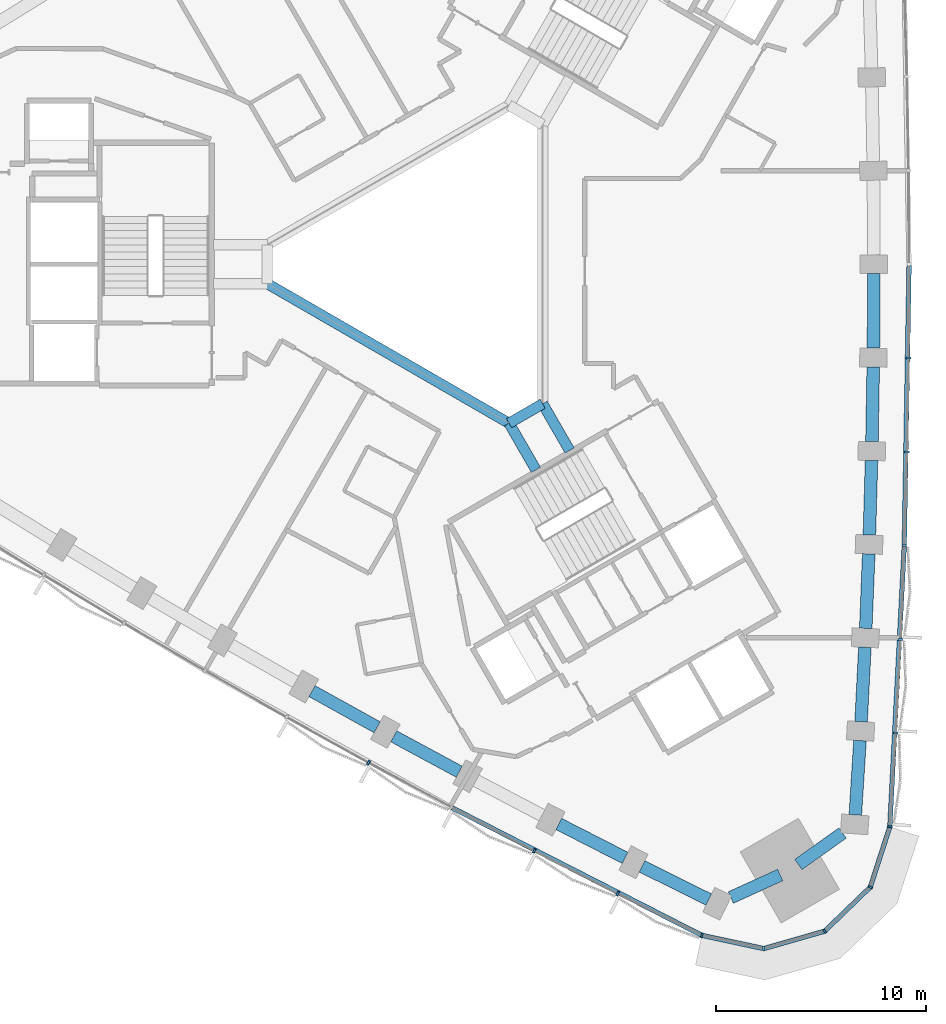
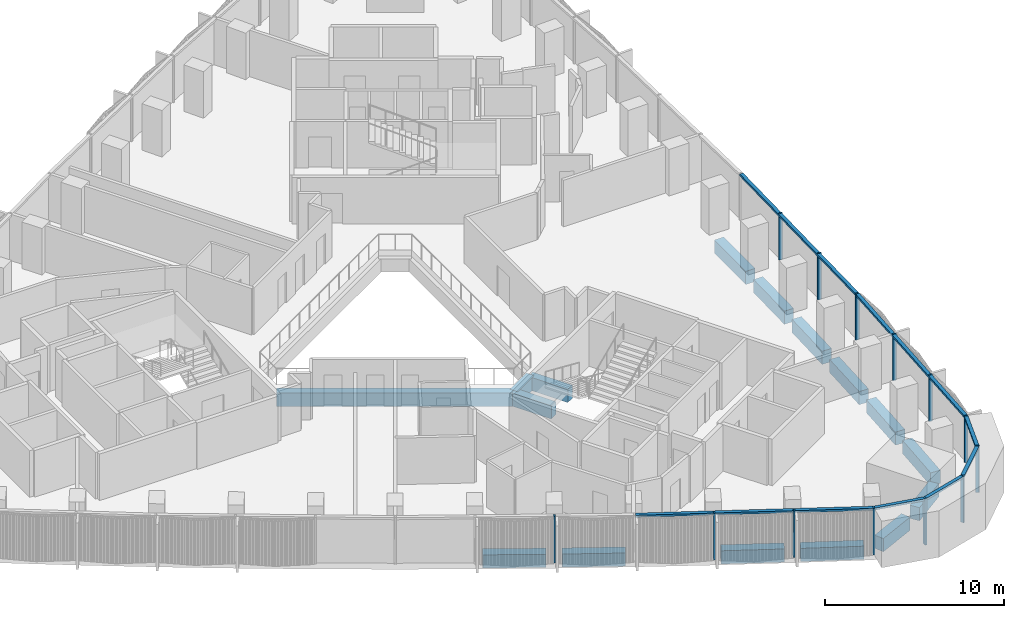
# One storey, part 3 of 15: 20 members, 16 beams, 2 elements without a shape of their own.
"""IFC4 building model written with IfcOpenShell, lengths in metres."""

from ifc_helpers import new_model, si_unit, direction, frame, origin, origin_2d, place, context, subcontext, project, spatial, rectangle, extrude, material, material_profile, profile_set, type_object, element, aggregate, save


model = new_model("IFC4")

# Units and contexts
model_context = context("Model", 3, precision=1e-05, world=origin(), true_north=direction((0.0, 1.0)))
body_context = subcontext(model_context, "Body", "Model", "MODEL_VIEW")
ifc_project = project(units=[si_unit("LENGTHUNIT", "METRE"), si_unit("AREAUNIT", "SQUARE_METRE"), si_unit("VOLUMEUNIT", "CUBIC_METRE"), si_unit("PLANEANGLEUNIT", "RADIAN"), si_unit("MASSUNIT", "GRAM", prefix="KILO")], contexts=[model_context])

# Site, building, storey
site_placement = place(None, origin())
site = spatial("IfcSite", under=ifc_project, at=site_placement, CompositionType="ELEMENT")
building_placement = place(site_placement, origin())
building = spatial("IfcBuilding", under=site, at=building_placement, Name="Tamra Quay Hotel Tower", CompositionType="ELEMENT")
storey_placement = place(building_placement, frame((0.0, 0.0, 86.60009765625)))
storey = spatial("IfcBuildingStorey", under=building, at=storey_placement, Name="L20", CompositionType="ELEMENT", Elevation=86.60009765625)

# Beams
ifc_material_1 = material(Name="Concrete M60", Category="concrete")
ifc_material_profile_1 = material_profile(ifc_material_1, rectangle(XDim=0.5, YDim=0.89990234375, at=origin_2d()), Name="ATRIUM EDGE BEAM RC 500x900")
ifc_profile_set_1 = profile_set([ifc_material_profile_1], Name="Concrete M60")
beam_type_1 = type_object("IfcBeamType", Name="ATRIUM EDGE BEAM RC 500x900", PredefinedType="BEAM", material=ifc_profile_set_1)
beam_1_placement = place(storey_placement, frame((4.89990234375, -6.639404296875, -0.875), z_axis=(-0.865989712182, -0.500061814573, 0.0), x_axis=(0.500061814573, -0.865989712182, 0.0)))
element("IfcBeam", 1, at=beam_1_placement, inside=storey, type_object=beam_type_1, Name="BM-AB1-L20", PredefinedType="BEAM", context=body_context, shape_type="SweptSolid", body=[
    extrude(rectangle(XDim=0.5, YDim=0.89990234375, at=origin_2d()), origin(), (0.0, 0.0, 1.0), 1.847412109375),
])
beam_2_placement = place(storey_placement, frame((3.300048828125, -7.563232421875, -0.875), z_axis=(-0.866029440693, 0.499993007805, 0.0), x_axis=(-0.499993007805, -0.866029440693, 0.0)))
element("IfcBeam", 2, at=beam_2_placement, inside=storey, type_object=beam_type_1, Name="BM-AB2-L20", PredefinedType="BEAM", context=body_context, shape_type="SweptSolid", body=[
    extrude(rectangle(XDim=0.5, YDim=0.89990234375, at=origin_2d()), origin(), (0.0, 0.0, 1.0), 13.279052734375),
])
ifc_material_profile_2 = material_profile(ifc_material_1, rectangle(XDim=0.5, YDim=0.89990234375, at=origin_2d()), Name="ATRIUM TIE BEAM RC 500x900")
ifc_profile_set_2 = profile_set([ifc_material_profile_2], Name="Concrete M60")
beam_type_2 = type_object("IfcBeamType", Name="ATRIUM TIE BEAM RC 500x900", PredefinedType="BEAM", material=ifc_profile_set_2)
for number, where, z_axis, x_axis, name in (
    (3, (4.89990234375, -6.639404296875, -0.875), (0.50003311468, -0.866006284171, 0.0), (0.866006284171, 0.50003311468, 0.0), "BM-TIE-1-L20"),
    (4, (3.300048828125, -7.563232421875, -0.875), (0.499961652204, -0.866047542763, 0.0), (0.866047542763, 0.499961652204, 0.0), "BM-TIE-2-L20"),
):
    element("IfcBeam", number, at=place(storey_placement, frame(where, z_axis=z_axis, x_axis=x_axis)), inside=storey, type_object=beam_type_2, Name=name, PredefinedType="BEAM", context=body_context, shape_type="SweptSolid", body=[
        extrude(rectangle(XDim=0.5, YDim=0.89990234375, at=origin_2d()), origin(), (0.0, 0.0, 1.0), 2.562255859375),
    ])

# Curtain wall, members
ifc_material_2 = material(Name="Aluminium 6063 anodised dark grey", Category="aluminium")
curtain_wall_type_1 = type_object("IfcCurtainWallType", Name="CW1 CURTAIN WALL", PredefinedType="NOTDEFINED", material=ifc_material_2)
curtain_wall_1_placement = place(storey_placement, origin())
curtain_wall_1 = element("IfcCurtainWall", 5, at=curtain_wall_1_placement, inside=storey, type_object=curtain_wall_type_1, Name="CW1 east face L20", PredefinedType="NOTDEFINED")
ifc_material_profile_3 = material_profile(ifc_material_2, rectangle(XDim=0.219970703125, YDim=0.10009765625, at=origin_2d()), Name="MULLION 100X220")
ifc_profile_set_3 = profile_set([ifc_material_profile_3], Name="Aluminium 6063 anodised dark grey")
member_type_1 = type_object("IfcMemberType", Name="MULLION CW1 Z2", PredefinedType="MULLION", material=ifc_profile_set_3)
member_1_placement = place(storey_placement, frame((21.41650390625, -26.762451171875, 0.0), z_axis=(0.0, 0.0, 1.0), x_axis=(0.982419074219, -0.18668894614, 0.0)))
member_1 = element("IfcMember", 6, at=member_1_placement, type_object=member_type_1, Name="CW1 mullion L20.E.1", PredefinedType="MULLION", context=body_context, shape_type="SweptSolid", body=[
    extrude(rectangle(XDim=0.219970703125, YDim=0.10009765625, at=origin_2d()), origin(), (0.0, 0.0, 1.0), 3.1748046875),
])
member_2_placement = place(storey_placement, frame((21.696044921875, -22.307861328125, 0.0), z_axis=(0.0, 0.0, 1.0), x_axis=(0.998374392499, -0.056996249012, 0.0)))
member_2 = element("IfcMember", 7, at=member_2_placement, type_object=member_type_1, Name="CW1 mullion L20.E.2", PredefinedType="MULLION", context=body_context, shape_type="SweptSolid", body=[
    extrude(rectangle(XDim=0.219970703125, YDim=0.10009765625, at=origin_2d()), origin(), (0.0, 0.0, 1.0), 3.1748046875),
])
member_3_placement = place(storey_placement, frame((21.92529296875, -17.849853515625, 0.0), z_axis=(0.0, 0.0, 1.0), x_axis=(0.99895827695, -0.045632892877, 0.0)))
member_3 = element("IfcMember", 8, at=member_3_placement, type_object=member_type_1, Name="CW1 mullion L20.E.3", PredefinedType="MULLION", context=body_context, shape_type="SweptSolid", body=[
    extrude(rectangle(XDim=0.219970703125, YDim=0.10009765625, at=origin_2d()), origin(), (0.0, 0.0, 1.0), 3.1748046875),
])
member_4_placement = place(storey_placement, frame((22.103515625, -13.389404296875, 0.0), z_axis=(0.0, 0.0, 1.0), x_axis=(0.999413449002, -0.034245553786, 0.0)))
member_4 = element("IfcMember", 9, at=member_4_placement, type_object=member_type_1, Name="CW1 mullion L20.E.4", PredefinedType="MULLION", context=body_context, shape_type="SweptSolid", body=[
    extrude(rectangle(XDim=0.219970703125, YDim=0.10009765625, at=origin_2d()), origin(), (0.0, 0.0, 1.0), 3.1748046875),
])
member_5_placement = place(storey_placement, frame((22.23095703125, -8.92724609375, 0.0), z_axis=(0.0, 0.0, 1.0), x_axis=(0.99973912308, -0.022840441834, 0.0)))
member_5 = element("IfcMember", 10, at=member_5_placement, type_object=member_type_1, Name="CW1 mullion L20.E.5", PredefinedType="MULLION", context=body_context, shape_type="SweptSolid", body=[
    extrude(rectangle(XDim=0.219970703125, YDim=0.10009765625, at=origin_2d()), origin(), (0.0, 0.0, 1.0), 3.1748046875),
])
member_6_placement = place(storey_placement, frame((22.307373046875, -4.4638671875, 0.0), z_axis=(0.0, 0.0, 1.0), x_axis=(0.999934749978, -0.011423475244, 0.0)))
member_6 = element("IfcMember", 11, at=member_6_placement, type_object=member_type_1, Name="CW1 mullion L20.E.6", PredefinedType="MULLION", context=body_context, shape_type="SweptSolid", body=[
    extrude(rectangle(XDim=0.219970703125, YDim=0.10009765625, at=origin_2d()), origin(), (0.0, 0.0, 1.0), 3.1748046875),
])

curtain_wall_type_2 = type_object("IfcCurtainWallType", Name="CW3 CURTAIN WALL", PredefinedType="NOTDEFINED", material=ifc_material_2)
curtain_wall_2_placement = place(storey_placement, origin())
curtain_wall_2 = element("IfcCurtainWall", 12, at=curtain_wall_2_placement, inside=storey, type_object=curtain_wall_type_2, Name="CW3 south-west face L20", PredefinedType="NOTDEFINED")
ifc_material_profile_4 = material_profile(ifc_material_2, rectangle(XDim=0.219970703125, YDim=0.10009765625, at=origin_2d()), Name="MULLION 100X220")
ifc_profile_set_4 = profile_set([ifc_material_profile_4], Name="Aluminium 6063 anodised dark grey")
member_type_2 = type_object("IfcMemberType", Name="MULLION CW3 Z2", PredefinedType="MULLION", material=ifc_profile_set_4)
member_7_placement = place(storey_placement, frame((-3.38427734375, -23.71630859375, 0.0), z_axis=(0.0, 0.0, 1.0), x_axis=(-0.480089158678, -0.877219698662, 0.0)))
member_7 = element("IfcMember", 13, at=member_7_placement, type_object=member_type_2, Name="CW3 mullion L20.SW.9", PredefinedType="MULLION", context=body_context, shape_type="SweptSolid", body=[
    extrude(rectangle(XDim=0.219970703125, YDim=0.10009765625, at=origin_2d()), origin(), (0.0, 0.0, 1.0), 3.1748046875),
])
member_8_placement = place(storey_placement, frame((4.49560546875, -27.91259765625, 0.0), z_axis=(0.0, 0.0, 1.0), x_axis=(-0.459959893996, -0.887939691598, 0.0)))
member_8 = element("IfcMember", 14, at=member_8_placement, type_object=member_type_2, Name="CW3 mullion L20.SW.11", PredefinedType="MULLION", context=body_context, shape_type="SweptSolid", body=[
    extrude(rectangle(XDim=0.219970703125, YDim=0.10009765625, at=origin_2d()), origin(), (0.0, 0.0, 1.0), 3.1748046875),
])
member_9_placement = place(storey_placement, frame((8.470947265625, -29.943359375, 0.0), z_axis=(0.0, 0.0, 1.0), x_axis=(-0.449826996685, -0.893115710899, 0.0)))
member_9 = element("IfcMember", 15, at=member_9_placement, type_object=member_type_2, Name="CW3 mullion L20.SW.12", PredefinedType="MULLION", context=body_context, shape_type="SweptSolid", body=[
    extrude(rectangle(XDim=0.219970703125, YDim=0.10009765625, at=origin_2d()), origin(), (0.0, 0.0, 1.0), 3.1748046875),
])
member_10_placement = place(storey_placement, frame((12.46875, -31.928466796875, 0.0), z_axis=(0.0, 0.0, 1.0), x_axis=(-0.329532167147, -0.944144348506, 0.0)))
member_10 = element("IfcMember", 16, at=member_10_placement, type_object=member_type_2, Name="CW3 mullion L20.SW.13", PredefinedType="MULLION", context=body_context, shape_type="SweptSolid", body=[
    extrude(rectangle(XDim=0.219970703125, YDim=0.10009765625, at=origin_2d()), origin(), (0.0, 0.0, 1.0), 3.1748046875),
])
member_11_placement = place(storey_placement, frame((15.418701171875, -32.559326171875, 0.0), z_axis=(0.0, 0.0, 1.0), x_axis=(0.03404070031, -0.999420447421, 0.0)))
member_11 = element("IfcMember", 17, at=member_11_placement, type_object=member_type_2, Name="CW3 mullion L20.SW.14", PredefinedType="MULLION", context=body_context, shape_type="SweptSolid", body=[
    extrude(rectangle(XDim=0.219970703125, YDim=0.10009765625, at=origin_2d()), origin(), (0.0, 0.0, 1.0), 3.1748046875),
])
member_12_placement = place(storey_placement, frame((18.31884765625, -31.729248046875, 0.0), z_axis=(0.0, 0.0, 1.0), x_axis=(0.5, -0.866025403784, 0.0)))
member_12 = element("IfcMember", 18, at=member_12_placement, type_object=member_type_2, Name="CW3 mullion L20.SW.15", PredefinedType="MULLION", context=body_context, shape_type="SweptSolid", body=[
    extrude(rectangle(XDim=0.219970703125, YDim=0.10009765625, at=origin_2d()), origin(), (0.0, 0.0, 1.0), 3.1748046875),
])
member_13_placement = place(storey_placement, frame((20.488037109375, -29.6328125, 0.0), z_axis=(0.0, 0.0, 1.0), x_axis=(0.848503146373, -0.529190334941, 0.0)))
member_13 = element("IfcMember", 19, at=member_13_placement, type_object=member_type_2, Name="CW3 mullion L20.SW.16", PredefinedType="MULLION", context=body_context, shape_type="SweptSolid", body=[
    extrude(rectangle(XDim=0.219970703125, YDim=0.10009765625, at=origin_2d()), origin(), (0.0, 0.0, 1.0), 3.1748046875),
])

# Beams
ifc_material_profile_5 = material_profile(ifc_material_1, rectangle(XDim=0.60009765625, YDim=0.89990234375, at=origin_2d()), Name="SPANDREL BEAM RC 600x900")
ifc_profile_set_5 = profile_set([ifc_material_profile_5], Name="Concrete M60")
beam_type_3 = type_object("IfcBeamType", Name="SPANDREL BEAM RC 600x900", PredefinedType="SPANDREL", material=ifc_profile_set_5)
beam_3_placement = place(storey_placement, frame((19.7744140625, -26.199462890625, -0.875), z_axis=(0.062669833409, 0.99803431403, 0.0), x_axis=(-0.99803431403, 0.062669833409, 0.0)))
element("IfcBeam", 20, at=beam_3_placement, inside=storey, type_object=beam_type_3, Name="BM-SP2-000-L20", PredefinedType="SPANDREL", context=body_context, shape_type="SweptSolid", body=[
    extrude(rectangle(XDim=0.60009765625, YDim=0.89990234375, at=origin_2d()), origin(), (0.0, 0.0, 1.0), 3.545166015625),
])
beam_4_placement = place(storey_placement, frame((20.048095703125, -21.7626953125, -0.875), z_axis=(0.051311627905, 0.998682690769, 0.0), x_axis=(-0.998682690769, 0.051311627905, 0.0)))
element("IfcBeam", 21, at=beam_4_placement, inside=storey, type_object=beam_type_3, Name="BM-SP2-001-L20", PredefinedType="SPANDREL", context=body_context, shape_type="SweptSolid", body=[
    extrude(rectangle(XDim=0.60009765625, YDim=0.89990234375, at=origin_2d()), origin(), (0.0, 0.0, 1.0), 3.544677734375),
])
for number, where, z_axis, x_axis, name in (
    (22, (20.27099609375, -17.323486328125, -0.875), (0.039946034354, 0.999201838639, 0.0), (-0.999201838639, 0.039946034354, 0.0), "BM-SP2-002-L20"),
    (23, (20.443359375, -12.882080078125, -0.875), (0.02858140136, 0.999591468299, 0.0), (-0.999591468299, 0.02858140136, 0.0), "BM-SP2-003-L20"),
):
    element("IfcBeam", number, at=place(storey_placement, frame(where, z_axis=z_axis, x_axis=x_axis)), inside=storey, type_object=beam_type_3, Name=name, PredefinedType="SPANDREL", context=body_context, shape_type="SweptSolid", body=[
        extrude(rectangle(XDim=0.60009765625, YDim=0.89990234375, at=origin_2d()), origin(), (0.0, 0.0, 1.0), 3.544921875),
    ])
beam_5_placement = place(storey_placement, frame((20.565185546875, -8.43896484375, -0.875), z_axis=(0.017149781635, 0.99985293168, 0.0), x_axis=(-0.99985293168, 0.017149781635, 0.0)))
element("IfcBeam", 24, at=beam_5_placement, inside=storey, type_object=beam_type_3, Name="BM-SP2-004-L20", PredefinedType="SPANDREL", context=body_context, shape_type="SweptSolid", body=[
    extrude(rectangle(XDim=0.60009765625, YDim=0.89990234375, at=origin_2d()), origin(), (0.0, 0.0, 1.0), 3.544677734375),
])
for number, where, z_axis, x_axis, name in (
    (25, (20.63623046875, -3.994873046875, -0.875), (0.005716160055, 0.999983662624, 0.0), (-0.999983662624, 0.005716160055, 0.0), "BM-SP2-005-L20"),
    (26, (-6.073974609375, -20.309814453125, -0.875), (0.874475461638, -0.48506975477, 0.0), (0.48506975477, 0.874475461638, 0.0), "BM-SP2-035-L20"),
    (27, (-2.184814453125, -22.46142578125, -0.875), (0.879950887438, -0.475064664753, 0.0), (0.475064664753, 0.879950887438, 0.0), "BM-SP2-036-L20"),
    (28, (5.666259765625, -26.630859375, -0.875), (0.890551251107, -0.45488291807, 0.0), (0.45488291807, 0.890551251107, 0.0), "BM-SP2-038-L20"),
):
    element("IfcBeam", number, at=place(storey_placement, frame(where, z_axis=z_axis, x_axis=x_axis)), inside=storey, type_object=beam_type_3, Name=name, PredefinedType="SPANDREL", context=body_context, shape_type="SweptSolid", body=[
        extrude(rectangle(XDim=0.60009765625, YDim=0.89990234375, at=origin_2d()), origin(), (0.0, 0.0, 1.0), 3.544921875),
    ])
beam_6_placement = place(storey_placement, frame((9.626953125, -28.648193359375, -0.875), z_axis=(0.895622275285, -0.444815399928, 0.0), x_axis=(0.444815399928, 0.895622275285, 0.0)))
element("IfcBeam", 29, at=beam_6_placement, inside=storey, type_object=beam_type_3, Name="BM-SP2-039-L20", PredefinedType="SPANDREL", context=body_context, shape_type="SweptSolid", body=[
    extrude(rectangle(XDim=0.60009765625, YDim=0.89990234375, at=origin_2d()), origin(), (0.0, 0.0, 1.0), 3.545166015625),
])
for number, where, z_axis, x_axis, name in (
    (30, (13.8505859375, -30.130615234375, -0.875), (0.909819048293, 0.415005179923, 0.0), (-0.415005179923, 0.909819048293, 0.0), "BM-SP2-040-L20"),
    (31, (17.063720703125, -28.560546875, -0.875), (0.814339289036, 0.580389112865, 0.0), (-0.580389112865, 0.814339289036, 0.0), "BM-SP2-041-L20"),
):
    element("IfcBeam", number, at=place(storey_placement, frame(where, z_axis=z_axis, x_axis=x_axis)), inside=storey, type_object=beam_type_3, Name=name, PredefinedType="SPANDREL", context=body_context, shape_type="SweptSolid", body=[
        extrude(rectangle(XDim=0.60009765625, YDim=0.89990234375, at=origin_2d()), origin(), (0.0, 0.0, 1.0), 2.5849609375),
    ])

# Member
ifc_material_profile_6 = material_profile(ifc_material_2, rectangle(XDim=0.219970703125, YDim=0.139892578125, at=origin_2d()), Name="TRANSOM 220X140")
ifc_profile_set_6 = profile_set([ifc_material_profile_6], Name="Aluminium 6063 anodised dark grey")
member_type_3 = type_object("IfcMemberType", Name="TRANSOM CW1 Z2", PredefinedType="USERDEFINED", material=ifc_profile_set_6)
member_14_placement = place(storey_placement, frame((21.41943359375, -26.712646484375, 3.10498046875), z_axis=(0.051322797132, 0.998682116839, 0.0), x_axis=(-0.998682116839, 0.051322797132, 0.0)))
member_14 = element("IfcMember", 32, at=member_14_placement, type_object=member_type_3, Name="CW1 transom L20.E.1", ObjectType="TRANSOM", PredefinedType="USERDEFINED", context=body_context, shape_type="SweptSolid", body=[
    extrude(rectangle(XDim=0.219970703125, YDim=0.139892578125, at=origin_2d()), origin(), (0.0, 0.0, 1.0), 13.291015625),
])

member_15_placement = place(storey_placement, frame((22.10498046875, -13.33935546875, 3.10498046875), z_axis=(0.017137820377, 0.999853136772, 0.0), x_axis=(-0.999853136772, 0.017137820377, 0.0)))
member_15 = element("IfcMember", 33, at=member_15_placement, type_object=member_type_3, Name="CW1 transom L20.E.4", ObjectType="TRANSOM", PredefinedType="USERDEFINED", context=body_context, shape_type="SweptSolid", body=[
    extrude(rectangle(XDim=0.219970703125, YDim=0.139892578125, at=origin_2d()), origin(), (0.0, 0.0, 1.0), 13.291259765625),
])

aggregate(curtain_wall_1, [member_1, member_14, member_2, member_3, member_4, member_15, member_5, member_6])

ifc_material_profile_7 = material_profile(ifc_material_2, rectangle(XDim=0.219970703125, YDim=0.139892578125, at=origin_2d()), Name="TRANSOM 220X140")
ifc_profile_set_7 = profile_set([ifc_material_profile_7], Name="Aluminium 6063 anodised dark grey")
member_type_4 = type_object("IfcMemberType", Name="TRANSOM CW3 Z2", PredefinedType="USERDEFINED", material=ifc_profile_set_7)
member_16_placement = place(storey_placement, frame((0.588134765625, -25.860107421875, 3.10498046875), z_axis=(0.89053639512, -0.454912001344, 0.0), x_axis=(0.454912001344, 0.89053639512, 0.0)))
member_16 = element("IfcMember", 34, at=member_16_placement, type_object=member_type_4, Name="CW3 transom L20.SW.10", ObjectType="TRANSOM", PredefinedType="USERDEFINED", context=body_context, shape_type="SweptSolid", body=[
    extrude(rectangle(XDim=0.219970703125, YDim=0.139892578125, at=origin_2d()), origin(), (0.0, 0.0, 1.0), 13.290771484375),
])

member_17_placement = place(storey_placement, frame((12.517822265625, -31.93896484375, 3.10498046875), z_axis=(0.97787585355, -0.209186077557, 0.0), x_axis=(0.209186077557, 0.97787585355, 0.0)))
member_17 = element("IfcMember", 35, at=member_17_placement, type_object=member_type_4, Name="CW3 transom L20.SW.13", ObjectType="TRANSOM", PredefinedType="USERDEFINED", context=body_context, shape_type="SweptSolid", body=[
    extrude(rectangle(XDim=0.219970703125, YDim=0.139892578125, at=origin_2d()), origin(), (0.0, 0.0, 1.0), 2.91650390625),
])

member_18_placement = place(storey_placement, frame((15.466796875, -32.545654296875, 3.10498046875), z_axis=(0.961378509885, 0.275229650893, 0.0), x_axis=(-0.275229650893, 0.961378509885, 0.0)))
member_18 = element("IfcMember", 36, at=member_18_placement, type_object=member_type_4, Name="CW3 transom L20.SW.14", ObjectType="TRANSOM", PredefinedType="USERDEFINED", context=body_context, shape_type="SweptSolid", body=[
    extrude(rectangle(XDim=0.219970703125, YDim=0.139892578125, at=origin_2d()), origin(), (0.0, 0.0, 1.0), 2.91650390625),
])

member_19_placement = place(storey_placement, frame((18.354736328125, -31.6943359375, 3.10498046875), z_axis=(0.719058089649, 0.694949972092, 0.0), x_axis=(-0.694949972092, 0.719058089649, 0.0)))
member_19 = element("IfcMember", 37, at=member_19_placement, type_object=member_type_4, Name="CW3 transom L20.SW.15", ObjectType="TRANSOM", PredefinedType="USERDEFINED", context=body_context, shape_type="SweptSolid", body=[
    extrude(rectangle(XDim=0.219970703125, YDim=0.139892578125, at=origin_2d()), origin(), (0.0, 0.0, 1.0), 2.91650390625),
])

member_20_placement = place(storey_placement, frame((20.50341796875, -29.585205078125, 3.10498046875), z_axis=(0.307777941734, 0.95145821694, 0.0), x_axis=(-0.95145821694, 0.307777941734, 0.0)))
member_20 = element("IfcMember", 38, at=member_20_placement, type_object=member_type_4, Name="CW3 transom L20.SW.16", ObjectType="TRANSOM", PredefinedType="USERDEFINED", context=body_context, shape_type="SweptSolid", body=[
    extrude(rectangle(XDim=0.219970703125, YDim=0.139892578125, at=origin_2d()), origin(), (0.0, 0.0, 1.0), 2.916748046875),
])

aggregate(curtain_wall_2, [member_7, member_16, member_8, member_9, member_10, member_17, member_11, member_18, member_12, member_19, member_13, member_20])

save(model, "model.ifc")
